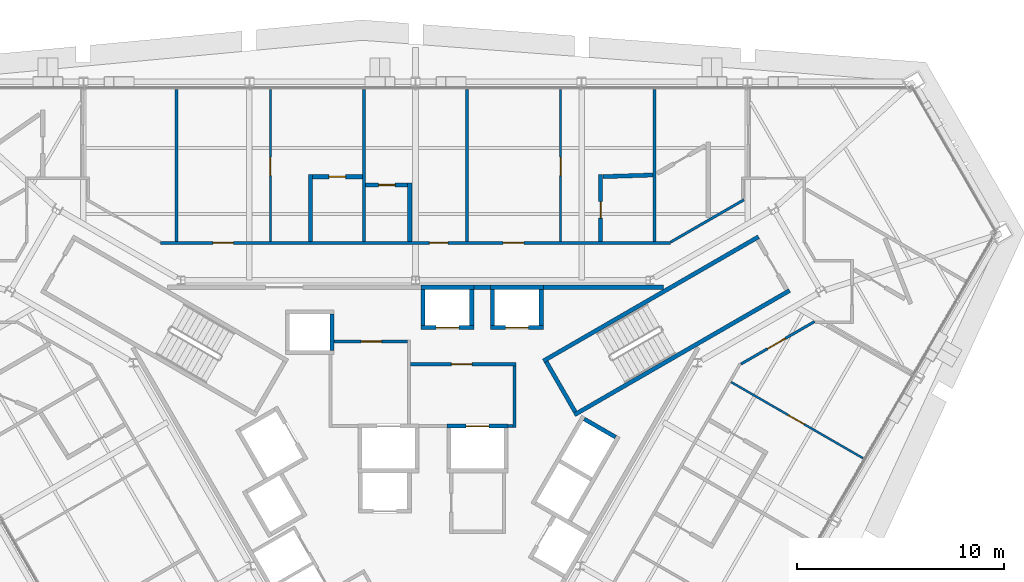
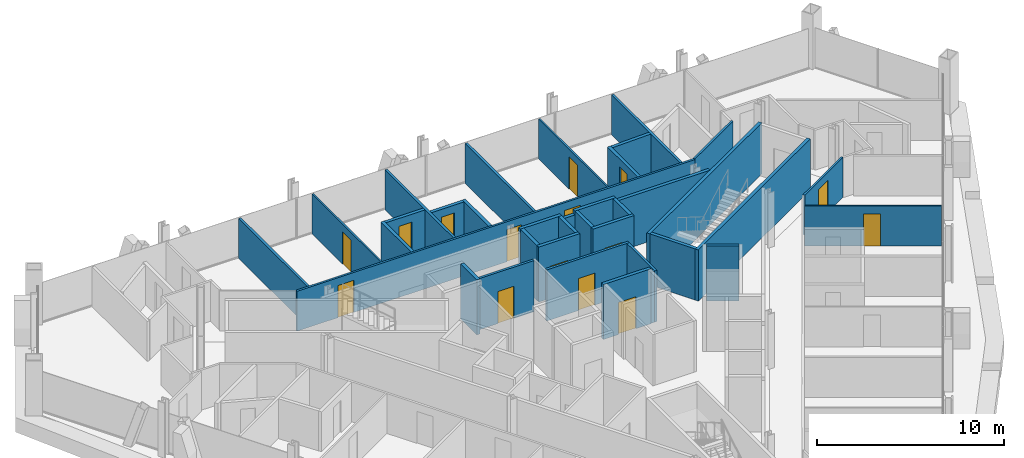
# One storey, part 13 of 16: 36 walls, 15 doors, 15 openings.
"""IFC4 building model written with IfcOpenShell, lengths in metres."""

import ifcopenshell
import ifcopenshell.guid

model = None  # the IFC model being written
_history = None  # IfcOwnerHistory: only IFC2X3 demands one
_inside = {}  # id of a spatial element -> (the spatial element, [elements in it])
_under = {}  # id of a project, library or spatial element -> (it, [spatial elements below it])
_declared = {}  # id of a project -> (the project, [libraries it declares])
_typed = {}  # id of a type object -> (the type object, [elements of that type])
_made_of = {}  # id of a material, layer set ... -> (it, [elements and type objects made of it])


def new_model(schema):
    """Start an empty IFC model of exactly this schema.

    Asked for "IFC4X3", IfcOpenShell would pick the latest addendum, in which some entities
    have other attributes; the version numbers below select the first issue.
    IFC2X3 requires an IfcOwnerHistory on every rooted entity: one is made here for all.
    """
    global model, _history
    if schema == "IFC4X3":
        model = ifcopenshell.file(schema_version=(4, 3, 0, 0))
    else:
        model = ifcopenshell.file(schema=schema)
    _inside.clear()
    _under.clear()
    _declared.clear()
    _typed.clear()
    _made_of.clear()
    _history = None
    if model.schema == "IFC2X3":
        org = make("IfcOrganization", Name="unknown")
        user = make(
            "IfcPersonAndOrganization",
            ThePerson=make("IfcPerson", FamilyName="unknown"),
            TheOrganization=org,
        )
        app = make(
            "IfcApplication",
            ApplicationDeveloper=org,
            Version="unknown",
            ApplicationFullName="unknown",
            ApplicationIdentifier="unknown",
        )
        _history = make(
            "IfcOwnerHistory",
            OwningUser=user,
            OwningApplication=app,
            ChangeAction="ADDED",
            CreationDate=0,
        )
    return model


def make(cls, **values):
    """One entity of the class cls with the attributes given. An attribute that is None is left unset."""
    return model.create_entity(
        cls, **{name: value for name, value in values.items() if value is not None}
    )


def rooted(cls, **values):
    """An entity with a GlobalId (a new one), such as an element, a storey or a relation."""
    return make(cls, GlobalId=ifcopenshell.guid.new(), OwnerHistory=_history, **values)


def si_unit(unit_type, name, prefix=None):
    """IfcSIUnit, for example si_unit("LENGTHUNIT", "METRE", prefix="MILLI")."""
    return make("IfcSIUnit", UnitType=unit_type, Prefix=prefix, Name=name)


def assignment(units):
    """IfcUnitAssignment: the units of a project."""
    return None if units is None else make("IfcUnitAssignment", Units=units)


def point(xyz):
    """IfcCartesianPoint."""
    return None if xyz is None else make("IfcCartesianPoint", Coordinates=xyz)


def direction(xyz):
    """IfcDirection."""
    return None if xyz is None else make("IfcDirection", DirectionRatios=xyz)


def frame(location, z_axis=None, x_axis=None):
    """IfcAxis2Placement3D, a coordinate frame: its origin and axes. An axis left out is left unset."""
    return make(
        "IfcAxis2Placement3D",
        Location=point(location),
        Axis=direction(z_axis),
        RefDirection=direction(x_axis),
    )


def frame_2d(location, x_axis=None):
    """IfcAxis2Placement2D, a coordinate frame in the plane: its origin and x axis."""
    return make(
        "IfcAxis2Placement2D", Location=point(location), RefDirection=direction(x_axis)
    )


def origin():
    """The frame at (0, 0, 0) with its axes left unset."""
    return frame((0.0, 0.0, 0.0))


def place(relative_to, where):
    """IfcLocalPlacement: puts the frame where relative to a parent placement (None: the world)."""
    return make(
        "IfcLocalPlacement", PlacementRelTo=relative_to, RelativePlacement=where
    )


def context(
    kind, dimensions, precision=None, world=None, true_north=None, identifier=None
):
    """IfcGeometricRepresentationContext, for example the 3D "Model" context."""
    return make(
        "IfcGeometricRepresentationContext",
        ContextIdentifier=identifier,
        ContextType=kind,
        CoordinateSpaceDimension=dimensions,
        Precision=precision,
        WorldCoordinateSystem=world,
        TrueNorth=true_north,
    )


def subcontext(parent, identifier, kind, view, scale=None):
    """IfcGeometricRepresentationSubContext, for example "Body" below "Model"."""
    return make(
        "IfcGeometricRepresentationSubContext",
        ContextIdentifier=identifier,
        ContextType=kind,
        ParentContext=parent,
        TargetScale=scale,
        TargetView=view,
    )


def project(units=None, contexts=None):
    """IfcProject with its units and contexts."""
    return rooted(
        "IfcProject",
        Name="project",
        RepresentationContexts=contexts,
        UnitsInContext=assignment(units),
    )


def spatial(cls, under=None, at=None, **own):
    """A site, building, storey or space (cls), placed at a placement, below another one or the project."""
    s = rooted(cls, ObjectPlacement=at, **own)
    if under is not None:
        _under.setdefault(under.id(), (under, []))[1].append(s)
    return s


def profile(cls, at=None, kind="AREA", **sizes):
    """A parametric profile (cls). Its sizes go by their IFC names, for example OverallWidth=200.0."""
    return make(cls, ProfileType=kind, Position=at, **sizes)


def rectangle(**sizes):
    """IfcRectangleProfileDef."""
    return profile("IfcRectangleProfileDef", **sizes)


def extrude(swept, where, along, depth):
    """IfcExtrudedAreaSolid: the profile swept, set in the frame where, extruded along a direction by depth."""
    return make(
        "IfcExtrudedAreaSolid",
        SweptArea=swept,
        Position=where,
        ExtrudedDirection=direction(along),
        Depth=depth,
    )


def shape(context_of_items, identifier, shape_type, items):
    """IfcShapeRepresentation: the items that make up one representation, for example the "Body"."""
    return make(
        "IfcShapeRepresentation",
        ContextOfItems=context_of_items,
        RepresentationIdentifier=identifier,
        RepresentationType=shape_type,
        Items=items,
    )


def material(Name=None, Category=None):
    """IfcMaterial."""
    return make("IfcMaterial", Name=Name, Category=Category)


def layer(
    of_material, thickness, ventilated=None, Name=None, Category=None, Priority=None
):
    """IfcMaterialLayer: one layer of a wall or slab, of a material (None: an air gap)."""
    return make(
        "IfcMaterialLayer",
        Material=of_material,
        LayerThickness=thickness,
        IsVentilated=ventilated,
        Name=Name,
        Category=Category,
        Priority=Priority,
    )


def layer_set(layers, Name=None):
    """IfcMaterialLayerSet."""
    return make("IfcMaterialLayerSet", MaterialLayers=layers, LayerSetName=Name)


def made_of(thing, what):
    """Note that an element or type object is made of a material, layer set ...; save() writes the relation."""
    if what is not None:
        _made_of.setdefault(what.id(), (what, []))[1].append(thing)
    return thing


def type_object(cls, material=None, **own):
    """A type object (cls), such as IfcWallType, which elements share."""
    return made_of(rooted(cls, **own), material)


def element(
    cls,
    number,
    at=None,
    inside=None,
    cuts=None,
    type_object=None,
    material=None,
    context=None,
    identifier="Body",
    shape_type=None,
    held_by="IfcProductDefinitionShape",
    body=None,
    shapes=None,
    **own,
):
    """One element of the class cls, such as IfcWall. Its Tag is "e" and its number.

    at: its placement. inside: the storey or other place that contains it. cuts: it is an
    opening in that element (IfcRelVoidsElement). A single representation is given by context,
    identifier, shape_type and body (its items); several are given by shapes. held_by: the class
    of the entity that holds the representations. save() writes the other relations.
    """
    e = rooted(cls, Tag="e%d" % number, ObjectPlacement=at, **own)
    if body is not None:
        shapes = [shape(context, identifier, shape_type, body)]
    if shapes is not None:
        e.Representation = make(held_by, Representations=shapes)
    if inside is not None:
        _inside.setdefault(inside.id(), (inside, []))[1].append(e)
    if cuts is not None:
        rooted(
            "IfcRelVoidsElement", RelatingBuildingElement=cuts, RelatedOpeningElement=e
        )
    if type_object is not None:
        _typed.setdefault(type_object.id(), (type_object, []))[1].append(e)
    return made_of(e, material)


def fill(opening, filler):
    """IfcRelFillsElement: the door or window that sits in an opening."""
    return rooted(
        "IfcRelFillsElement",
        RelatingOpeningElement=opening,
        RelatedBuildingElement=filler,
    )


def aggregate(whole, parts):
    """IfcRelAggregates: a whole, such as a stair, and the parts it consists of."""
    return rooted("IfcRelAggregates", RelatingObject=whole, RelatedObjects=parts)


def save(model, path):
    """Write the relations noted so far, then the file.

    IfcRelAggregates (storeys below a building ...), IfcRelContainedInSpatialStructure (elements
    in a storey), IfcRelDefinesByType, IfcRelAssociatesMaterial and IfcRelDeclares: one each for
    every whole, place, type object, material and project.
    """
    for whole, parts in _under.values():
        aggregate(whole, parts)
    for where, things in _inside.values():
        rooted(
            "IfcRelContainedInSpatialStructure",
            RelatedElements=things,
            RelatingStructure=where,
        )
    for kind, things in _typed.values():
        rooted("IfcRelDefinesByType", RelatedObjects=things, RelatingType=kind)
    for what, things in _made_of.values():
        rooted("IfcRelAssociatesMaterial", RelatedObjects=things, RelatingMaterial=what)
    for by, libraries in _declared.values():
        rooted("IfcRelDeclares", RelatingContext=by, RelatedDefinitions=libraries)
    model.write(path)


model = new_model("IFC4")

# Units and contexts
model_context = context("Model", 3, precision=1e-05, world=origin(), true_north=direction((0.0, 1.0)))
body_context = subcontext(model_context, "Body", "Model", "MODEL_VIEW")
ifc_project = project(units=[si_unit("LENGTHUNIT", "METRE"), si_unit("AREAUNIT", "SQUARE_METRE"), si_unit("VOLUMEUNIT", "CUBIC_METRE"), si_unit("PLANEANGLEUNIT", "RADIAN"), si_unit("MASSUNIT", "GRAM", prefix="KILO")], contexts=[model_context])

# Site, building, storey
site_placement = place(None, origin())
site = spatial("IfcSite", under=ifc_project, at=site_placement, CompositionType="ELEMENT")
building_placement = place(site_placement, origin())
building = spatial("IfcBuilding", under=site, at=building_placement, Name="Verrane Prism Tower", CompositionType="ELEMENT")
storey_placement = place(building_placement, frame((0.0, 0.0, 110.800048828125)))
storey = spatial("IfcBuildingStorey", under=building, at=storey_placement, Name="L26", CompositionType="ELEMENT", Elevation=110.800048828125)

# Walls
ifc_material_1 = material(Name="Gypsum board partition", Category="other")
ifc_layer_1 = layer(ifc_material_1, 0.199951171875)
ifc_layer_set_1 = layer_set([ifc_layer_1], Name="CW-200 core boundary wall 2 h")
wall_type_1 = type_object("IfcWallType", Name="CW-200 core boundary wall 2 h", PredefinedType="PARTITIONING", material=ifc_layer_set_1)
wall_1_placement = place(storey_placement, frame((2.81689453125, 8.860107421875, 0.0), z_axis=(0.0, 0.0, 1.0), x_axis=(1.0, 0.0, 0.0)))
element("IfcWall", 1, at=wall_1_placement, inside=storey, type_object=wall_type_1, Name="Core boundary wall CW3-004", PredefinedType="PARTITIONING", context=body_context, shape_type="SweptSolid", body=[
    extrude(rectangle(XDim=0.80615234375, YDim=0.199951171875, at=frame_2d((0.403076171875, 0.0))), origin(), (0.0, 0.0, 1.0), 3.349853515625),
])
wall_2_placement = place(storey_placement, frame((6.177001953125, 8.860107421875, 0.0), z_axis=(0.0, 0.0, 1.0), x_axis=(1.0, 0.0, 0.0)))
element("IfcWall", 2, at=wall_2_placement, inside=storey, type_object=wall_type_1, Name="Core boundary wall CW3-006", PredefinedType="PARTITIONING", context=body_context, shape_type="SweptSolid", body=[
    extrude(rectangle(XDim=5.81396484375, YDim=0.199951171875, at=frame_2d((2.906982421875, 0.0))), origin(), (0.0, 0.0, 1.0), 3.349853515625),
])
ifc_material_2 = material(Name="Concrete C40/50", Category="concrete")
ifc_layer_2 = layer(ifc_material_2, 0.199951171875)
ifc_layer_set_2 = layer_set([ifc_layer_2], Name="CW-200 stair core wall concrete C40/50 3 h")
wall_type_2 = type_object("IfcWallType", Name="CW-200 stair core wall concrete C40/50 3 h", PredefinedType="PARTITIONING", material=ifc_layer_set_2)
for number, where, z_axis, x_axis, name in (
    (3, (6.17822265625, 5.299072265625, 0.0), (0.0, 0.0, 1.0), (0.866026010844, 0.49999894854, 0.0), "Stair 1 enclosure wall"),
    (4, (7.67822265625, 2.700927734375, 0.0), (0.0, 0.0, 1.0), (0.866026010844, 0.49999894854, 0.0), "Stair 1 enclosure wall"),
):
    element("IfcWall", number, at=place(storey_placement, frame(where, z_axis=z_axis, x_axis=x_axis)), inside=storey, type_object=wall_type_2, Name=name, PredefinedType="PARTITIONING", context=body_context, shape_type="SweptSolid", body=[
        extrude(rectangle(XDim=12.0, YDim=0.199951171875, at=frame_2d((6.0, 0.0))), origin(), (0.0, 0.0, 1.0), 3.349853515625),
    ])
wall_3_placement = place(storey_placement, frame((7.71484375, 2.837646484375, 0.0), z_axis=(0.0, 0.0, 1.0), x_axis=(-0.500049511043, 0.865996816683, 0.0)))
element("IfcWall", 5, at=wall_3_placement, inside=storey, type_object=wall_type_2, Name="Stair 1 enclosure wall", PredefinedType="PARTITIONING", context=body_context, shape_type="SweptSolid", body=[
    extrude(rectangle(XDim=2.800048828125, YDim=0.199951171875, at=frame_2d((1.39990234375, 0.0))), origin(), (0.0, 0.0, 1.0), 3.349853515625),
])

# Wall, opening, door
ifc_material_3 = material(Name="Gypsum board shaft wall assembly", Category="other")
ifc_layer_3 = layer(ifc_material_3, 0.199951171875)
ifc_layer_set_3 = layer_set([ifc_layer_3], Name="HW-200 lift shaft wall 2 h")
wall_type_3 = type_object("IfcWallType", Name="HW-200 lift shaft wall 2 h", PredefinedType="PARTITIONING", material=ifc_layer_set_3)
wall_4_placement = place(storey_placement, frame((1.52490234375, 2.14990234375, 0.0), z_axis=(0.0, 0.0, 1.0), x_axis=(1.0, 0.0, 0.0)))
wall_4 = element("IfcWall", 6, at=wall_4_placement, inside=storey, type_object=wall_type_3, Name="Lift shaft wall", PredefinedType="PARTITIONING", context=body_context, shape_type="SweptSolid", body=[
    extrude(rectangle(XDim=2.9501953125, YDim=0.199951171875, at=frame_2d((1.47509765625, 0.0))), origin(), (0.0, 0.0, 1.0), 3.599853515625),
])
opening_1_placement = place(wall_4_placement, frame((0.925048828125, 0.0, 0.0)))
opening_1 = element("IfcOpeningElement", 7, at=opening_1_placement, cuts=wall_4, Name="Opening D24509", PredefinedType="OPENING", context=body_context, shape_type="SweptSolid", body=[
    extrude(rectangle(XDim=1.10009765625, YDim=2.10009765625, at=frame_2d((0.550048828125, 1.050048828125))), frame((0.0, 0.10986328125, 0.0), z_axis=(0.0, -1.0, 0.0), x_axis=(1.0, 0.0, 0.0)), (0.0, 0.0, 1.0), 0.219970703125),
])
ifc_material_4 = material(Name="Stainless steel sliding landing door", Category="steel")
door_type_1 = type_object("IfcDoorType", Name="LD-1100x2100 lift landing door FD90 sliding", OperationType="NOTDEFINED", PredefinedType="DOOR", material=ifc_material_4)
door_1_placement = place(opening_1_placement, origin())
door_1 = element("IfcDoor", 8, at=door_1_placement, inside=storey, type_object=door_type_1, Name="Fire service lift 2 landing door", OperationType="SLIDING_TO_RIGHT", OverallHeight=2.10009765625, OverallWidth=1.10009765625, PredefinedType="DOOR", context=body_context, shape_type="SweptSolid", body=[
    extrude(rectangle(XDim=1.10009765625, YDim=2.10009765625, at=frame_2d((0.550048828125, 1.050048828125))), frame((0.0, 0.02490234375, 0.0), z_axis=(0.0, -1.0, 0.0), x_axis=(1.0, 0.0, 0.0)), (0.0, 0.0, 1.0), 0.050048828125),
])
fill(opening_1, door_1)

wall_5_placement = place(storey_placement, frame((0.264892578125, 6.909912109375, 0.0), z_axis=(0.0, 0.0, 1.0), x_axis=(1.0, 0.0, 0.0)))
wall_5 = element("IfcWall", 9, at=wall_5_placement, inside=storey, type_object=wall_type_3, Name="Lift shaft wall", PredefinedType="PARTITIONING", context=body_context, shape_type="SweptSolid", body=[
    extrude(rectangle(XDim=2.550048828125, YDim=0.199951171875, at=frame_2d((1.27490234375, 0.0))), origin(), (0.0, 0.0, 1.0), 3.599853515625),
])
opening_2_placement = place(wall_5_placement, frame((0.72509765625, 0.0, 0.0)))
opening_2 = element("IfcOpeningElement", 10, at=opening_2_placement, cuts=wall_5, Name="Opening D24503", PredefinedType="OPENING", context=body_context, shape_type="SweptSolid", body=[
    extrude(rectangle(XDim=1.10009765625, YDim=2.10009765625, at=frame_2d((0.550048828125, 1.050048828125))), frame((0.0, 0.10986328125, 0.0), z_axis=(0.0, -1.0, 0.0), x_axis=(1.0, 0.0, 0.0)), (0.0, 0.0, 1.0), 0.219970703125),
])
door_2_placement = place(opening_2_placement, origin())
door_2 = element("IfcDoor", 11, at=door_2_placement, inside=storey, type_object=door_type_1, Name="Bank A lift 1 landing door", OperationType="SLIDING_TO_LEFT", OverallHeight=2.10009765625, OverallWidth=1.10009765625, PredefinedType="DOOR", context=body_context, shape_type="SweptSolid", body=[
    extrude(rectangle(XDim=1.10009765625, YDim=2.10009765625, at=frame_2d((0.550048828125, 1.050048828125))), frame((0.0, 0.02490234375, 0.0), z_axis=(0.0, -1.0, 0.0), x_axis=(1.0, 0.0, 0.0)), (0.0, 0.0, 1.0), 0.050048828125),
])
fill(opening_2, door_2)

wall_6_placement = place(storey_placement, frame((3.625, 6.909912109375, 0.0), z_axis=(0.0, 0.0, 1.0), x_axis=(1.0, 0.0, 0.0)))
wall_6 = element("IfcWall", 12, at=wall_6_placement, inside=storey, type_object=wall_type_3, Name="Lift shaft wall", PredefinedType="PARTITIONING", context=body_context, shape_type="SweptSolid", body=[
    extrude(rectangle(XDim=2.550048828125, YDim=0.199951171875, at=frame_2d((1.27490234375, 0.0))), origin(), (0.0, 0.0, 1.0), 3.599853515625),
])
opening_3_placement = place(wall_6_placement, frame((0.72509765625, 0.0, 0.0)))
opening_3 = element("IfcOpeningElement", 13, at=opening_3_placement, cuts=wall_6, Name="Opening D24505", PredefinedType="OPENING", context=body_context, shape_type="SweptSolid", body=[
    extrude(rectangle(XDim=1.10009765625, YDim=2.10009765625, at=frame_2d((0.550048828125, 1.050048828125))), frame((0.0, 0.10986328125, 0.0), z_axis=(0.0, -1.0, 0.0), x_axis=(1.0, 0.0, 0.0)), (0.0, 0.0, 1.0), 0.219970703125),
])
door_3_placement = place(opening_3_placement, origin())
door_3 = element("IfcDoor", 14, at=door_3_placement, inside=storey, type_object=door_type_1, Name="Bank A lift 3 landing door", OperationType="SLIDING_TO_LEFT", OverallHeight=2.10009765625, OverallWidth=1.10009765625, PredefinedType="DOOR", context=body_context, shape_type="SweptSolid", body=[
    extrude(rectangle(XDim=1.10009765625, YDim=2.10009765625, at=frame_2d((0.550048828125, 1.050048828125))), frame((0.0, 0.02490234375, 0.0), z_axis=(0.0, -1.0, 0.0), x_axis=(1.0, 0.0, 0.0)), (0.0, 0.0, 1.0), 0.050048828125),
])
fill(opening_3, door_3)

# Walls
for number, where, z_axis, x_axis, name in (
    (15, (0.264892578125, 8.860107421875, 0.0), (0.0, 0.0, 1.0), (1.0, 0.0, 0.0), "Lift shaft wall"),
    (16, (3.625, 8.860107421875, 0.0), (0.0, 0.0, 1.0), (1.0, 0.0, 0.0), "Lift shaft wall"),
):
    element("IfcWall", number, at=place(storey_placement, frame(where, z_axis=z_axis, x_axis=x_axis)), inside=storey, type_object=wall_type_3, Name=name, PredefinedType="PARTITIONING", context=body_context, shape_type="SweptSolid", body=[
        extrude(rectangle(XDim=2.550048828125, YDim=0.199951171875, at=frame_2d((1.27490234375, 0.0))), origin(), (0.0, 0.0, 1.0), 3.599853515625),
    ])
for number, where, z_axis, x_axis, name in (
    (17, (6.074951171875, 7.010009765625, 0.0), (0.0, 0.0, 1.0), (0.0, 1.0, 0.0), "Lift shaft wall"),
    (18, (3.72509765625, 7.010009765625, 0.0), (0.0, 0.0, 1.0), (0.0, 1.0, 0.0), "Lift shaft wall"),
    (19, (2.715087890625, 7.010009765625, 0.0), (0.0, 0.0, 1.0), (0.0, 1.0, 0.0), "Lift shaft wall"),
    (20, (0.364990234375, 7.010009765625, 0.0), (0.0, 0.0, 1.0), (0.0, 1.0, 0.0), "Lift shaft wall"),
    (21, (-4.034912109375, 5.81005859375, 0.0), (0.0, 0.0, 1.0), (0.0, 1.0, 0.0), "Lift shaft wall"),
):
    element("IfcWall", number, at=place(storey_placement, frame(where, z_axis=z_axis, x_axis=x_axis)), inside=storey, type_object=wall_type_3, Name=name, PredefinedType="PARTITIONING", context=body_context, shape_type="SweptSolid", body=[
        extrude(rectangle(XDim=1.75, YDim=0.199951171875, at=frame_2d((0.875, 0.0))), origin(), (0.0, 0.0, 1.0), 3.599853515625),
    ])
wall_7_placement = place(storey_placement, frame((9.66455078125, 1.61962890625, 0.0), z_axis=(0.0, 0.0, 1.0), x_axis=(-0.866002029911, 0.500040482552, 0.0)))
element("IfcWall", 22, at=wall_7_placement, inside=storey, type_object=wall_type_3, Name="Lift shaft wall", PredefinedType="PARTITIONING", context=body_context, shape_type="SweptSolid", body=[
    extrude(rectangle(XDim=1.749755859375, YDim=0.199951171875, at=frame_2d((0.875, 0.0))), origin(), (0.0, 0.0, 1.0), 3.599853515625),
])

# Wall, opening, door
ifc_material_5 = material(Name="Gypsum board partition", Category="other")
ifc_layer_4 = layer(ifc_material_5, 0.14990234375)
ifc_layer_set_4 = layer_set([ifc_layer_4], Name="LF-150 firefighting lobby wall 1 h")
wall_type_4 = type_object("IfcWallType", Name="LF-150 firefighting lobby wall 1 h", PredefinedType="PARTITIONING", material=ifc_layer_set_4)
wall_8_placement = place(storey_placement, frame((-3.93310546875, 6.239990234375, 0.0), z_axis=(0.0, 0.0, 1.0), x_axis=(1.0, 0.0, 0.0)))
wall_8 = element("IfcWall", 23, at=wall_8_placement, inside=storey, type_object=wall_type_4, Name="Firefighting lobby wall LF1-003", PredefinedType="PARTITIONING", context=body_context, shape_type="SweptSolid", body=[
    extrude(rectangle(XDim=3.5380859375, YDim=0.14990234375, at=frame_2d((1.76904296875, 0.0))), origin(), (0.0, 0.0, 1.0), 3.349853515625),
])
opening_4_placement = place(wall_8_placement, frame((1.300048828125, 0.0, 0.0)))
opening_4 = element("IfcOpeningElement", 24, at=opening_4_placement, cuts=wall_8, Name="Opening D24515", PredefinedType="OPENING", context=body_context, shape_type="SweptSolid", body=[
    extrude(rectangle(XDim=1.0, YDim=2.10009765625, at=frame_2d((0.5, 1.050048828125))), frame((0.0, 0.0849609375, 0.0), z_axis=(0.0, -1.0, 0.0), x_axis=(1.0, 0.0, 0.0)), (0.0, 0.0, 1.0), 0.169921875),
])
ifc_material_6 = material(Name="Timber veneered door leaf", Category="wood")
door_type_2 = type_object("IfcDoorType", Name="DR-1000x2100 FD60 single leaf firefighting lobby", OperationType="NOTDEFINED", PredefinedType="DOOR", material=ifc_material_6)
door_4_placement = place(opening_4_placement, origin())
door_4 = element("IfcDoor", 25, at=door_4_placement, inside=storey, type_object=door_type_2, Name="Firefighting lobby door D24515", OperationType="SINGLE_SWING_LEFT", OverallHeight=2.10009765625, OverallWidth=1.0, PredefinedType="DOOR", context=body_context, shape_type="SweptSolid", body=[
    extrude(rectangle(XDim=1.0, YDim=2.10009765625, at=frame_2d((0.5, 1.050048828125))), frame((0.0, 0.02490234375, 0.0), z_axis=(0.0, -1.0, 0.0), x_axis=(1.0, 0.0, 0.0)), (0.0, 0.0, 1.0), 0.050048828125),
])
fill(opening_4, door_4)

wall_9_placement = place(storey_placement, frame((-0.2451171875, 5.139892578125, 0.0), z_axis=(0.0, 0.0, 1.0), x_axis=(1.0, 0.0, 0.0)))
wall_9 = element("IfcWall", 26, at=wall_9_placement, inside=storey, type_object=wall_type_4, Name="Firefighting lobby wall LF1-005", PredefinedType="PARTITIONING", context=body_context, shape_type="SweptSolid", body=[
    extrude(rectangle(XDim=5.110107421875, YDim=0.14990234375, at=frame_2d((2.55517578125, 0.0))), origin(), (0.0, 0.0, 1.0), 3.349853515625),
])
opening_5_placement = place(wall_9_placement, frame((1.97509765625, 0.0, 0.0)))
opening_5 = element("IfcOpeningElement", 27, at=opening_5_placement, cuts=wall_9, Name="Opening D24516", PredefinedType="OPENING", context=body_context, shape_type="SweptSolid", body=[
    extrude(rectangle(XDim=1.0, YDim=2.10009765625, at=frame_2d((0.5, 1.050048828125))), frame((0.0, 0.0849609375, 0.0), z_axis=(0.0, -1.0, 0.0), x_axis=(1.0, 0.0, 0.0)), (0.0, 0.0, 1.0), 0.169921875),
])
door_5_placement = place(opening_5_placement, origin())
door_5 = element("IfcDoor", 28, at=door_5_placement, inside=storey, type_object=door_type_2, Name="Firefighting lobby door D24516", OperationType="SINGLE_SWING_RIGHT", OverallHeight=2.10009765625, OverallWidth=1.0, PredefinedType="DOOR", context=body_context, shape_type="SweptSolid", body=[
    extrude(rectangle(XDim=1.0, YDim=2.10009765625, at=frame_2d((0.5, 1.050048828125))), frame((0.0, 0.02490234375, 0.0), z_axis=(0.0, -1.0, 0.0), x_axis=(1.0, 0.0, 0.0)), (0.0, 0.0, 1.0), 0.050048828125),
])
fill(opening_5, door_5)

# Walls
wall_10_placement = place(storey_placement, frame((4.47705078125, 2.159912109375, 0.0), z_axis=(0.0, 0.0, 1.0), x_axis=(1.0, 0.0, 0.0)))
element("IfcWall", 29, at=wall_10_placement, inside=storey, type_object=wall_type_4, Name="Firefighting lobby wall LF1-007", PredefinedType="PARTITIONING", context=body_context, shape_type="SweptSolid", body=[
    extrude(rectangle(XDim=0.238037109375, YDim=0.14990234375, at=frame_2d((0.119140625, 0.0))), origin(), (0.0, 0.0, 1.0), 3.349853515625),
])
wall_11_placement = place(storey_placement, frame((4.7900390625, 2.0849609375, 0.0), z_axis=(0.0, 0.0, 1.0), x_axis=(0.0, 1.0, 0.0)))
element("IfcWall", 30, at=wall_11_placement, inside=storey, type_object=wall_type_4, Name="Firefighting lobby wall LF1-008", PredefinedType="PARTITIONING", context=body_context, shape_type="SweptSolid", body=[
    extrude(rectangle(XDim=2.97998046875, YDim=0.14990234375, at=frame_2d((1.489990234375, 0.0))), origin(), (0.0, 0.0, 1.0), 3.349853515625),
])

# Wall, opening, door
ifc_material_7 = material(Name="Gypsum board partition", Category="other")
ifc_layer_5 = layer(ifc_material_7, 0.10009765625)
ifc_layer_set_5 = layer_set([ifc_layer_5], Name="PW-100 room partition")
wall_type_5 = type_object("IfcWallType", Name="PW-100 room partition", PredefinedType="PARTITIONING", material=ifc_layer_set_5)
wall_12_placement = place(storey_placement, frame((-7.011962890625, 18.4150390625, 0.0), z_axis=(0.0, 0.0, 1.0), x_axis=(0.0, -1.0, 0.0)))
wall_12 = element("IfcWall", 31, at=wall_12_placement, inside=storey, type_object=wall_type_5, Name="Room partition 034", PredefinedType="PARTITIONING", context=body_context, shape_type="SweptSolid", body=[
    extrude(rectangle(XDim=7.3525390625, YDim=0.10009765625, at=frame_2d((3.67626953125, 0.0))), origin(), (0.0, 0.0, 1.0), 2.613037109375),
])
opening_6_placement = place(wall_12_placement, frame((3.264892578125, 0.0, 0.0)))
opening_6 = element("IfcOpeningElement", 32, at=opening_6_placement, cuts=wall_12, Name="Opening D24023", PredefinedType="OPENING", context=body_context, shape_type="SweptSolid", body=[
    extrude(rectangle(XDim=0.89990234375, YDim=2.10009765625, at=frame_2d((0.449951171875, 1.050048828125))), frame((0.0, 0.06005859375, 0.0), z_axis=(0.0, -1.0, 0.0), x_axis=(1.0, 0.0, 0.0)), (0.0, 0.0, 1.0), 0.1201171875),
])
ifc_material_8 = material(Name="Timber veneered door leaf", Category="wood")
door_type_3 = type_object("IfcDoorType", Name="DR-900x2100 single leaf inner", OperationType="NOTDEFINED", PredefinedType="DOOR", material=ifc_material_8)
door_6_placement = place(opening_6_placement, origin())
door_6 = element("IfcDoor", 33, at=door_6_placement, inside=storey, type_object=door_type_3, Name="Suite Living Room door", OperationType="SINGLE_SWING_RIGHT", OverallHeight=2.10009765625, OverallWidth=0.89990234375, PredefinedType="DOOR", context=body_context, shape_type="SweptSolid", body=[
    extrude(rectangle(XDim=0.89990234375, YDim=2.10009765625, at=frame_2d((0.449951171875, 1.050048828125))), frame((0.0, 0.02490234375, 0.0), z_axis=(0.0, -1.0, 0.0), x_axis=(1.0, 0.0, 0.0)), (0.0, 0.0, 1.0), 0.050048828125),
])
fill(opening_6, door_6)

wall_13_placement = place(storey_placement, frame((7.011962890625, 18.4150390625, 0.0), z_axis=(0.0, 0.0, 1.0), x_axis=(0.0, -1.0, 0.0)))
wall_13 = element("IfcWall", 34, at=wall_13_placement, inside=storey, type_object=wall_type_5, Name="Room partition 055", PredefinedType="PARTITIONING", context=body_context, shape_type="SweptSolid", body=[
    extrude(rectangle(XDim=7.3525390625, YDim=0.10009765625, at=frame_2d((3.67626953125, 0.0))), origin(), (0.0, 0.0, 1.0), 2.613037109375),
])
opening_7_placement = place(wall_13_placement, frame((3.264892578125, 0.0, 0.0)))
opening_7 = element("IfcOpeningElement", 35, at=opening_7_placement, cuts=wall_13, Name="Opening D24018", PredefinedType="OPENING", context=body_context, shape_type="SweptSolid", body=[
    extrude(rectangle(XDim=0.89990234375, YDim=2.10009765625, at=frame_2d((0.449951171875, 1.050048828125))), frame((0.0, 0.06005859375, 0.0), z_axis=(0.0, -1.0, 0.0), x_axis=(1.0, 0.0, 0.0)), (0.0, 0.0, 1.0), 0.1201171875),
])
door_7_placement = place(opening_7_placement, origin())
door_7 = element("IfcDoor", 36, at=door_7_placement, inside=storey, type_object=door_type_3, Name="Suite Living Room door", OperationType="SINGLE_SWING_LEFT", OverallHeight=2.10009765625, OverallWidth=0.89990234375, PredefinedType="DOOR", context=body_context, shape_type="SweptSolid", body=[
    extrude(rectangle(XDim=0.89990234375, YDim=2.10009765625, at=frame_2d((0.449951171875, 1.050048828125))), frame((0.0, 0.02490234375, 0.0), z_axis=(0.0, -1.0, 0.0), x_axis=(1.0, 0.0, 0.0)), (0.0, 0.0, 1.0), 0.050048828125),
])
fill(opening_7, door_7)

wall_14_placement = place(storey_placement, frame((21.613037109375, 0.604736328125, 0.0), z_axis=(0.0, 0.0, 1.0), x_axis=(-0.866021344046, 0.500007031608, 0.0)))
wall_14 = element("IfcWall", 37, at=wall_14_placement, inside=storey, type_object=wall_type_5, Name="Room partition 068", PredefinedType="PARTITIONING", context=body_context, shape_type="SweptSolid", body=[
    extrude(rectangle(XDim=7.35205078125, YDim=0.10009765625, at=frame_2d((3.676025390625, 0.0))), origin(), (0.0, 0.0, 1.0), 2.613037109375),
])
opening_8_placement = place(wall_14_placement, frame((3.264404296875, 0.0, 0.0)))
opening_8 = element("IfcOpeningElement", 38, at=opening_8_placement, cuts=wall_14, Name="Opening D24010", PredefinedType="OPENING", context=body_context, shape_type="SweptSolid", body=[
    extrude(rectangle(XDim=0.89990234375, YDim=2.10009765625, at=frame_2d((0.449951171875, 1.050048828125))), frame((0.0, 0.06005859375, 0.0), z_axis=(0.0, -1.0, 0.0), x_axis=(1.0, 0.0, 0.0)), (0.0, 0.0, 1.0), 0.1201171875),
])
door_8_placement = place(opening_8_placement, origin())
door_8 = element("IfcDoor", 39, at=door_8_placement, inside=storey, type_object=door_type_3, Name="Suite Living Room door", OperationType="SINGLE_SWING_LEFT", OverallHeight=2.10009765625, OverallWidth=0.89990234375, PredefinedType="DOOR", context=body_context, shape_type="SweptSolid", body=[
    extrude(rectangle(XDim=0.89990234375, YDim=2.10009765625, at=frame_2d((0.449951171875, 1.050048828125))), frame((0.0, 0.02490234375, 0.0), z_axis=(0.0, -1.0, 0.0), x_axis=(1.0, 0.0, 0.0)), (0.0, 0.0, 1.0), 0.050048828125),
])
fill(opening_8, door_8)

# Wall, openings, doors
ifc_material_9 = material(Name="Gypsum board partition", Category="other")
ifc_layer_6 = layer(ifc_material_9, 0.125)
ifc_layer_set_6 = layer_set([ifc_layer_6], Name="PW-125 corridor wall 1 h")
wall_type_6 = type_object("IfcWallType", Name="PW-125 corridor wall 1 h", PredefinedType="PARTITIONING", material=ifc_layer_set_6)
wall_15_placement = place(storey_placement, frame((-12.3154296875, 11.0, 0.0), z_axis=(0.0, 0.0, 1.0), x_axis=(1.0, 0.0, 0.0)))
wall_15 = element("IfcWall", 40, at=wall_15_placement, inside=storey, type_object=wall_type_6, Name="Corridor wall 025", PredefinedType="PARTITIONING", context=body_context, shape_type="SweptSolid", body=[
    extrude(rectangle(XDim=24.630859375, YDim=0.125, at=frame_2d((12.3154296875, 0.0))), origin(), (0.0, 0.0, 1.0), 2.613037109375),
])
opening_9_placement = place(wall_15_placement, frame((16.54541015625, 0.0, 0.0)))
opening_9 = element("IfcOpeningElement", 41, at=opening_9_placement, cuts=wall_15, Name="Opening D24017", PredefinedType="OPENING", context=body_context, shape_type="SweptSolid", body=[
    extrude(rectangle(XDim=1.0, YDim=2.10009765625, at=frame_2d((0.5, 1.050048828125))), frame((0.0, 0.072509765625, 0.0), z_axis=(0.0, -1.0, 0.0), x_axis=(1.0, 0.0, 0.0)), (0.0, 0.0, 1.0), 0.14501953125),
])
opening_10_placement = place(wall_15_placement, frame((12.985595703125, 0.0, 0.0)))
opening_10 = element("IfcOpeningElement", 42, at=opening_10_placement, cuts=wall_15, Name="Opening D24020", PredefinedType="OPENING", context=body_context, shape_type="SweptSolid", body=[
    extrude(rectangle(XDim=0.89990234375, YDim=2.10009765625, at=frame_2d((0.449951171875, 1.050048828125))), frame((0.0, 0.072509765625, 0.0), z_axis=(0.0, -1.0, 0.0), x_axis=(1.0, 0.0, 0.0)), (0.0, 0.0, 1.0), 0.14501953125),
])
opening_11_placement = place(wall_15_placement, frame((2.521484375, 0.0, 0.0)))
opening_11 = element("IfcOpeningElement", 43, at=opening_11_placement, cuts=wall_15, Name="Opening D24022", PredefinedType="OPENING", context=body_context, shape_type="SweptSolid", body=[
    extrude(rectangle(XDim=1.0, YDim=2.10009765625, at=frame_2d((0.5, 1.050048828125))), frame((0.0, 0.072509765625, 0.0), z_axis=(0.0, -1.0, 0.0), x_axis=(1.0, 0.0, 0.0)), (0.0, 0.0, 1.0), 0.14501953125),
])
ifc_material_10 = material(Name="Timber veneered door leaf", Category="wood")
door_type_4 = type_object("IfcDoorType", Name="DR-1000x2100 FD20 single leaf unit", OperationType="NOTDEFINED", PredefinedType="DOOR", material=ifc_material_10)
door_9_placement = place(opening_9_placement, origin())
door_9 = element("IfcDoor", 44, at=door_9_placement, inside=storey, type_object=door_type_4, Name="Suite Living Room door", OperationType="SINGLE_SWING_LEFT", OverallHeight=2.10009765625, OverallWidth=1.0, PredefinedType="DOOR", context=body_context, shape_type="SweptSolid", body=[
    extrude(rectangle(XDim=1.0, YDim=2.10009765625, at=frame_2d((0.5, 1.050048828125))), frame((0.0, 0.02490234375, 0.0), z_axis=(0.0, -1.0, 0.0), x_axis=(1.0, 0.0, 0.0)), (0.0, 0.0, 1.0), 0.050048828125),
])
fill(opening_9, door_9)
door_10_placement = place(opening_11_placement, origin())
door_10 = element("IfcDoor", 45, at=door_10_placement, inside=storey, type_object=door_type_4, Name="Suite Living Room door", OperationType="SINGLE_SWING_RIGHT", OverallHeight=2.10009765625, OverallWidth=1.0, PredefinedType="DOOR", context=body_context, shape_type="SweptSolid", body=[
    extrude(rectangle(XDim=1.0, YDim=2.10009765625, at=frame_2d((0.5, 1.050048828125))), frame((0.0, 0.02490234375, 0.0), z_axis=(0.0, -1.0, 0.0), x_axis=(1.0, 0.0, 0.0)), (0.0, 0.0, 1.0), 0.050048828125),
])
fill(opening_11, door_10)
ifc_material_11 = material(Name="Timber veneered door leaf", Category="wood")
door_type_5 = type_object("IfcDoorType", Name="DR-900x2100 FD20 single leaf unit", OperationType="NOTDEFINED", PredefinedType="DOOR", material=ifc_material_11)
door_11_placement = place(opening_10_placement, origin())
door_11 = element("IfcDoor", 46, at=door_11_placement, inside=storey, type_object=door_type_5, Name="Guest Room door", OperationType="SINGLE_SWING_RIGHT", OverallHeight=2.10009765625, OverallWidth=0.89990234375, PredefinedType="DOOR", context=body_context, shape_type="SweptSolid", body=[
    extrude(rectangle(XDim=0.89990234375, YDim=2.10009765625, at=frame_2d((0.449951171875, 1.050048828125))), frame((0.0, 0.02490234375, 0.0), z_axis=(0.0, -1.0, 0.0), x_axis=(1.0, 0.0, 0.0)), (0.0, 0.0, 1.0), 0.050048828125),
])
fill(opening_10, door_11)

# Wall
wall_16_placement = place(storey_placement, frame((12.32666015625, 11.04248046875, 0.0), z_axis=(0.0, 0.0, 1.0), x_axis=(0.866070231021, 0.499922348909, 0.0)))
element("IfcWall", 47, at=wall_16_placement, inside=storey, type_object=wall_type_6, Name="Corridor wall 063", PredefinedType="PARTITIONING", context=body_context, shape_type="SweptSolid", body=[
    extrude(rectangle(XDim=4.088134765625, YDim=0.125, at=frame_2d((2.0439453125, 0.0))), origin(), (0.0, 0.0, 1.0), 2.613037109375),
])

# Wall, opening, door
wall_17_placement = place(storey_placement, frame((19.278076171875, 7.204345703125, 0.0), z_axis=(0.0, 0.0, 1.0), x_axis=(-0.865992261418, -0.50005739987, 0.0)))
wall_17 = element("IfcWall", 48, at=wall_17_placement, inside=storey, type_object=wall_type_6, Name="Corridor wall 070", PredefinedType="PARTITIONING", context=body_context, shape_type="SweptSolid", body=[
    extrude(rectangle(XDim=4.10107421875, YDim=0.125, at=frame_2d((2.050537109375, 0.0))), origin(), (0.0, 0.0, 1.0), 2.613037109375),
])
opening_12_placement = place(wall_17_placement, frame((1.635986328125, 0.0, 0.0)))
opening_12 = element("IfcOpeningElement", 49, at=opening_12_placement, cuts=wall_17, Name="Opening D24009", PredefinedType="OPENING", context=body_context, shape_type="SweptSolid", body=[
    extrude(rectangle(XDim=1.0, YDim=2.10009765625, at=frame_2d((0.5, 1.050048828125))), frame((0.0, 0.072509765625, 0.0), z_axis=(0.0, -1.0, 0.0), x_axis=(1.0, 0.0, 0.0)), (0.0, 0.0, 1.0), 0.14501953125),
])
door_12_placement = place(opening_12_placement, origin())
door_12 = element("IfcDoor", 50, at=door_12_placement, inside=storey, type_object=door_type_4, Name="Suite Living Room door", OperationType="SINGLE_SWING_RIGHT", OverallHeight=2.10009765625, OverallWidth=1.0, PredefinedType="DOOR", context=body_context, shape_type="SweptSolid", body=[
    extrude(rectangle(XDim=1.0, YDim=2.10009765625, at=frame_2d((0.5, 1.050048828125))), frame((0.0, 0.02490234375, 0.0), z_axis=(0.0, -1.0, 0.0), x_axis=(1.0, 0.0, 0.0)), (0.0, 0.0, 1.0), 0.050048828125),
])
fill(opening_12, door_12)

# Walls
ifc_material_12 = material(Name="Gypsum board partition", Category="other")
ifc_layer_7 = layer(ifc_material_12, 0.14990234375)
ifc_layer_set_7 = layer_set([ifc_layer_7], Name="PW-150 demising wall 1 h")
wall_type_7 = type_object("IfcWallType", Name="PW-150 demising wall 1 h", PredefinedType="PARTITIONING", material=ifc_layer_set_7)
for number, where, z_axis, x_axis, name in (
    (51, (-11.5439453125, 11.0625, 0.0), (0.0, 0.0, 1.0), (0.0, 1.0, 0.0), "Demising wall 027"),
    (52, (-2.47998046875, 11.0625, 0.0), (0.0, 0.0, 1.0), (0.0, 1.0, 0.0), "Demising wall 039"),
    (53, (2.47998046875, 11.0625, 0.0), (0.0, 0.0, 1.0), (0.0, 1.0, 0.0), "Demising wall 044"),
    (54, (11.5439453125, 11.0625, 0.0), (0.0, 0.0, 1.0), (0.0, 1.0, 0.0), "Demising wall 061"),
):
    element("IfcWall", number, at=place(storey_placement, frame(where, z_axis=z_axis, x_axis=x_axis)), inside=storey, type_object=wall_type_7, Name=name, PredefinedType="PARTITIONING", context=body_context, shape_type="SweptSolid", body=[
        extrude(rectangle(XDim=7.3525390625, YDim=0.14990234375, at=frame_2d((3.67626953125, 0.0))), origin(), (0.0, 0.0, 1.0), 2.613037109375),
    ])
ifc_material_13 = material(Name="Gypsum board partition", Category="other")
ifc_layer_8 = layer(ifc_material_13, 0.199951171875)
ifc_layer_set_8 = layer_set([ifc_layer_8], Name="PW-200 plumbing wall")
wall_type_8 = type_object("IfcWallType", Name="PW-200 plumbing wall", PredefinedType="PARTITIONING", material=ifc_layer_set_8)
wall_18_placement = place(storey_placement, frame((-5.080078125, 11.0625, 0.0), z_axis=(0.0, 0.0, 1.0), x_axis=(0.0, 1.0, 0.0)))
element("IfcWall", 55, at=wall_18_placement, inside=storey, type_object=wall_type_8, Name="Plumbing wall 035", PredefinedType="PARTITIONING", context=body_context, shape_type="SweptSolid", body=[
    extrude(rectangle(XDim=3.237548828125, YDim=0.199951171875, at=frame_2d((1.61865234375, 0.0))), origin(), (0.0, 0.0, 1.0), 2.613037109375),
])

# Wall, opening, door
wall_19_placement = place(storey_placement, frame((-2.554931640625, 14.199951171875, 0.0), z_axis=(0.0, 0.0, 1.0), x_axis=(-1.0, 0.0, 0.0)))
wall_19 = element("IfcWall", 56, at=wall_19_placement, inside=storey, type_object=wall_type_8, Name="Plumbing wall 036", PredefinedType="PARTITIONING", context=body_context, shape_type="SweptSolid", body=[
    extrude(rectangle(XDim=2.425048828125, YDim=0.199951171875, at=frame_2d((1.21240234375, 0.0))), origin(), (0.0, 0.0, 1.0), 2.613037109375),
])
opening_13_placement = place(wall_19_placement, frame((0.824951171875, 0.0, 0.0)))
opening_13 = element("IfcOpeningElement", 57, at=opening_13_placement, cuts=wall_19, Name="Opening D24024", PredefinedType="OPENING", context=body_context, shape_type="SweptSolid", body=[
    extrude(rectangle(XDim=0.800048828125, YDim=2.10009765625, at=frame_2d((0.39990234375, 1.050048828125))), frame((0.0, 0.10986328125, 0.0), z_axis=(0.0, -1.0, 0.0), x_axis=(1.0, 0.0, 0.0)), (0.0, 0.0, 1.0), 0.219970703125),
])
ifc_material_14 = material(Name="Timber veneered door leaf", Category="wood")
door_type_6 = type_object("IfcDoorType", Name="DR-800x2100 single leaf bath", OperationType="NOTDEFINED", PredefinedType="DOOR", material=ifc_material_14)
door_13_placement = place(opening_13_placement, origin())
door_13 = element("IfcDoor", 58, at=door_13_placement, inside=storey, type_object=door_type_6, Name="En-Suite door", OperationType="SINGLE_SWING_LEFT", OverallHeight=2.10009765625, OverallWidth=0.800048828125, PredefinedType="DOOR", context=body_context, shape_type="SweptSolid", body=[
    extrude(rectangle(XDim=0.800048828125, YDim=2.10009765625, at=frame_2d((0.39990234375, 1.050048828125))), frame((0.0, 0.02490234375, 0.0), z_axis=(0.0, -1.0, 0.0), x_axis=(1.0, 0.0, 0.0)), (0.0, 0.0, 1.0), 0.050048828125),
])
fill(opening_13, door_13)

wall_20_placement = place(storey_placement, frame((-0.3798828125, 13.800048828125, 0.0), z_axis=(0.0, 0.0, 1.0), x_axis=(-1.0, 0.0, 0.0)))
wall_20 = element("IfcWall", 59, at=wall_20_placement, inside=storey, type_object=wall_type_8, Name="Plumbing wall 040", PredefinedType="PARTITIONING", context=body_context, shape_type="SweptSolid", body=[
    extrude(rectangle(XDim=2.025146484375, YDim=0.199951171875, at=frame_2d((1.0126953125, 0.0))), origin(), (0.0, 0.0, 1.0), 2.613037109375),
])
opening_14_placement = place(wall_20_placement, frame((0.60009765625, 0.0, 0.0)))
opening_14 = element("IfcOpeningElement", 60, at=opening_14_placement, cuts=wall_20, Name="Opening D24021", PredefinedType="OPENING", context=body_context, shape_type="SweptSolid", body=[
    extrude(rectangle(XDim=0.800048828125, YDim=2.10009765625, at=frame_2d((0.39990234375, 1.050048828125))), frame((0.0, 0.10986328125, 0.0), z_axis=(0.0, -1.0, 0.0), x_axis=(1.0, 0.0, 0.0)), (0.0, 0.0, 1.0), 0.219970703125),
])
door_14_placement = place(opening_14_placement, origin())
door_14 = element("IfcDoor", 61, at=door_14_placement, inside=storey, type_object=door_type_6, Name="En-Suite door", OperationType="SINGLE_SWING_RIGHT", OverallHeight=2.10009765625, OverallWidth=0.800048828125, PredefinedType="DOOR", context=body_context, shape_type="SweptSolid", body=[
    extrude(rectangle(XDim=0.800048828125, YDim=2.10009765625, at=frame_2d((0.39990234375, 1.050048828125))), frame((0.0, 0.02490234375, 0.0), z_axis=(0.0, -1.0, 0.0), x_axis=(1.0, 0.0, 0.0)), (0.0, 0.0, 1.0), 0.050048828125),
])
fill(opening_14, door_14)

# Wall
wall_21_placement = place(storey_placement, frame((-0.280029296875, 11.0625, 0.0), z_axis=(0.0, 0.0, 1.0), x_axis=(0.0, 1.0, 0.0)))
element("IfcWall", 62, at=wall_21_placement, inside=storey, type_object=wall_type_8, Name="Plumbing wall 041", PredefinedType="PARTITIONING", context=body_context, shape_type="SweptSolid", body=[
    extrude(rectangle(XDim=2.83740234375, YDim=0.199951171875, at=frame_2d((1.418701171875, 0.0))), origin(), (0.0, 0.0, 1.0), 2.613037109375),
])

# Wall, opening, door
wall_22_placement = place(storey_placement, frame((8.944091796875, 14.300048828125, 0.0), z_axis=(0.0, 0.0, 1.0), x_axis=(0.0, -1.0, 0.0)))
wall_22 = element("IfcWall", 63, at=wall_22_placement, inside=storey, type_object=wall_type_8, Name="Plumbing wall 057", PredefinedType="PARTITIONING", context=body_context, shape_type="SweptSolid", body=[
    extrude(rectangle(XDim=3.237548828125, YDim=0.199951171875, at=frame_2d((1.61865234375, 0.0))), origin(), (0.0, 0.0, 1.0), 2.613037109375),
])
opening_15_placement = place(wall_22_placement, frame((1.300048828125, 0.0, 0.0)))
opening_15 = element("IfcOpeningElement", 64, at=opening_15_placement, cuts=wall_22, Name="Opening D24019", PredefinedType="OPENING", context=body_context, shape_type="SweptSolid", body=[
    extrude(rectangle(XDim=0.800048828125, YDim=2.10009765625, at=frame_2d((0.39990234375, 1.050048828125))), frame((0.0, 0.10986328125, 0.0), z_axis=(0.0, -1.0, 0.0), x_axis=(1.0, 0.0, 0.0)), (0.0, 0.0, 1.0), 0.219970703125),
])
door_15_placement = place(opening_15_placement, origin())
door_15 = element("IfcDoor", 65, at=door_15_placement, inside=storey, type_object=door_type_6, Name="En-Suite door", OperationType="SINGLE_SWING_RIGHT", OverallHeight=2.10009765625, OverallWidth=0.800048828125, PredefinedType="DOOR", context=body_context, shape_type="SweptSolid", body=[
    extrude(rectangle(XDim=0.800048828125, YDim=2.10009765625, at=frame_2d((0.39990234375, 1.050048828125))), frame((0.0, 0.02490234375, 0.0), z_axis=(0.0, -1.0, 0.0), x_axis=(1.0, 0.0, 0.0)), (0.0, 0.0, 1.0), 0.050048828125),
])
fill(opening_15, door_15)

# Wall
wall_23_placement = place(storey_placement, frame((9.048828125, 14.203369140625, 0.0), z_axis=(0.0, 0.0, 1.0), x_axis=(0.999451498762, 0.033116485665, 0.0)))
element("IfcWall", 66, at=wall_23_placement, inside=storey, type_object=wall_type_8, Name="Plumbing wall 058", PredefinedType="PARTITIONING", context=body_context, shape_type="SweptSolid", body=[
    extrude(rectangle(XDim=2.41796875, YDim=0.199951171875, at=frame_2d((1.208984375, 0.0))), origin(), (0.0, 0.0, 1.0), 2.613037109375),
])

save(model, "model.ifc")
